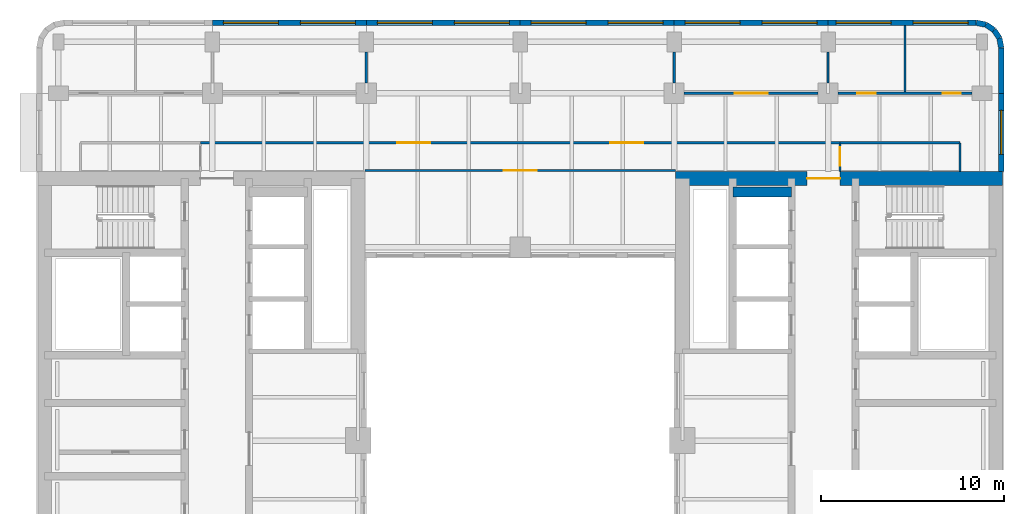
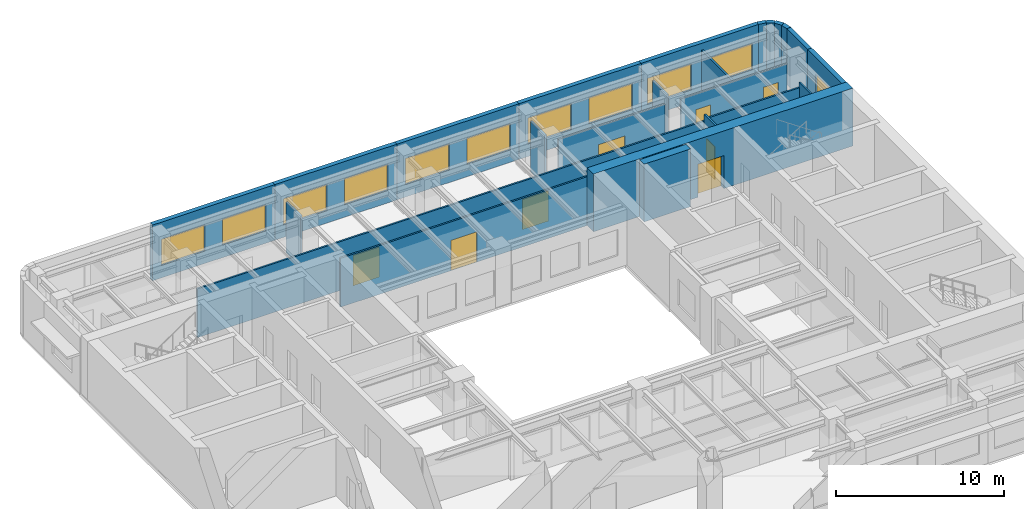
# One storey, part 7 of 11: 24 walls, 11 windows, 8 doors, 19 openings.
"""IFC4 building model written with IfcOpenShell, lengths in metres."""

from ifc_helpers import new_model, si_unit, direction, frame, frame_2d, origin, place, context, subcontext, project, spatial, rectangle, extrude, material, layer, layer_set, type_object, element, fill, save


model = new_model("IFC4")

# Units and contexts
model_context = context("Model", 3, precision=1e-05, world=origin(), true_north=direction((0.0, 1.0)))
body_context = subcontext(model_context, "Body", "Model", "MODEL_VIEW")
ifc_project = project(units=[si_unit("LENGTHUNIT", "METRE"), si_unit("AREAUNIT", "SQUARE_METRE"), si_unit("VOLUMEUNIT", "CUBIC_METRE"), si_unit("PLANEANGLEUNIT", "RADIAN"), si_unit("MASSUNIT", "GRAM", prefix="KILO")], contexts=[model_context])

# Site, building, storey
site_placement = place(None, origin())
site = spatial("IfcSite", under=ifc_project, at=site_placement, CompositionType="ELEMENT")
building_placement = place(site_placement, origin())
building = spatial("IfcBuilding", under=site, at=building_placement, Name="Claustro Exchange Tower", CompositionType="ELEMENT")
storey_placement = place(building_placement, frame((0.0, 0.0, 181.800048828125)))
storey = spatial("IfcBuildingStorey", under=building, at=storey_placement, Name="L41", CompositionType="ELEMENT", Elevation=181.800048828125)

# Wall
ifc_material_1 = material(Name="Laminated glass in aluminium frame", Category="aluminium")
ifc_layer_1 = layer(ifc_material_1, 0.1201171875)
ifc_layer_set_1 = layer_set([ifc_layer_1], Name="Laminated glass in aluminium frame")
wall_type_1 = type_object("IfcWallType", Name="P2 120 glazed partition", PredefinedType="PARTITIONING", material=ifc_layer_set_1)
wall_1_placement = place(storey_placement, frame((16.800048828125, 42.549072265625, 0.0), z_axis=(0.0, 0.0, 1.0), x_axis=(0.0, 1.0, 0.0)))
element("IfcWall", 1, at=wall_1_placement, inside=storey, type_object=wall_type_1, Name="Partition P2 L41", PredefinedType="PARTITIONING", context=body_context, shape_type="SweptSolid", body=[
    extrude(rectangle(XDim=1.701904296875, YDim=0.1201171875, at=frame_2d((0.85107421875, 0.0))), origin(), (0.0, 0.0, 1.0), 3.68994140625),
])

# Wall, opening, door
wall_2_placement = place(storey_placement, frame((34.14892578125, 42.0, 0.0), z_axis=(0.0, 0.0, 1.0), x_axis=(1.0, 0.0, 0.0)))
wall_2 = element("IfcWall", 2, at=wall_2_placement, inside=storey, type_object=wall_type_1, Name="Partition P2 L41", PredefinedType="PARTITIONING", context=body_context, shape_type="SweptSolid", body=[
    extrude(rectangle(XDim=7.302001953125, YDim=0.1201171875, at=frame_2d((3.65087890625, 0.0))), origin(), (0.0, 0.0, 1.0), 3.550048828125),
])
opening_1_placement = place(wall_2_placement, frame((2.7509765625, 0.0, 0.0)))
opening_1 = element("IfcOpeningElement", 3, at=opening_1_placement, cuts=wall_2, Name="Opening D2", PredefinedType="OPENING", context=body_context, shape_type="SweptSolid", body=[
    extrude(rectangle(XDim=1.800048828125, YDim=2.199951171875, at=frame_2d((0.89990234375, 1.10009765625))), frame((0.0, 0.070068359375, 0.0), z_axis=(0.0, -1.0, 0.0), x_axis=(1.0, 0.0, 0.0)), (0.0, 0.0, 1.0), 0.14013671875),
])
ifc_material_2 = material(Name="Timber door, oak veneer", Category="wood")
door_type_1 = type_object("IfcDoorType", Name="D2 1800 x 2200 double door", OperationType="DOUBLE_DOOR_SINGLE_SWING", PredefinedType="DOOR", material=ifc_material_2)
door_1_placement = place(opening_1_placement, origin())
door_1 = element("IfcDoor", 4, at=door_1_placement, inside=storey, type_object=door_type_1, Name="Double door D2 L41", OperationType="DOUBLE_DOOR_SINGLE_SWING", OverallHeight=2.199951171875, OverallWidth=1.800048828125, PredefinedType="DOOR", context=body_context, shape_type="SweptSolid", body=[
    extrude(rectangle(XDim=1.800048828125, YDim=2.199951171875, at=frame_2d((0.89990234375, 1.10009765625))), frame((0.0, 0.02490234375, 0.0), z_axis=(0.0, -1.0, 0.0), x_axis=(1.0, 0.0, 0.0)), (0.0, 0.0, 1.0), 0.050048828125),
])
fill(opening_1, door_1)

# Wall, openings, doors
wall_3_placement = place(storey_placement, frame((42.549072265625, 42.0, 0.0), z_axis=(0.0, 0.0, 1.0), x_axis=(1.0, 0.0, 0.0)))
wall_3 = element("IfcWall", 5, at=wall_3_placement, inside=storey, type_object=wall_type_1, Name="Partition P2 L41", PredefinedType="PARTITIONING", context=body_context, shape_type="SweptSolid", body=[
    extrude(rectangle(XDim=7.302001953125, YDim=0.1201171875, at=frame_2d((3.65087890625, 0.0))), origin(), (0.0, 0.0, 1.0), 3.550048828125),
])
opening_2_placement = place(wall_3_placement, frame((1.051025390625, 0.0, 0.0)))
opening_2 = element("IfcOpeningElement", 6, at=opening_2_placement, cuts=wall_3, Name="Opening D7", PredefinedType="OPENING", context=body_context, shape_type="SweptSolid", body=[
    extrude(rectangle(XDim=1.0, YDim=2.39990234375, at=frame_2d((0.5, 1.199951171875))), frame((0.0, 0.070068359375, 0.0), z_axis=(0.0, -1.0, 0.0), x_axis=(1.0, 0.0, 0.0)), (0.0, 0.0, 1.0), 0.14013671875),
])
opening_3_placement = place(wall_3_placement, frame((5.700927734375, 0.0, 0.0)))
opening_3 = element("IfcOpeningElement", 7, at=opening_3_placement, cuts=wall_3, Name="Opening D7", PredefinedType="OPENING", context=body_context, shape_type="SweptSolid", body=[
    extrude(rectangle(XDim=1.0, YDim=2.39990234375, at=frame_2d((0.5, 1.199951171875))), frame((0.0, 0.070068359375, 0.0), z_axis=(0.0, -1.0, 0.0), x_axis=(1.0, 0.0, 0.0)), (0.0, 0.0, 1.0), 0.14013671875),
])
ifc_material_3 = material(Name="Glass door in aluminium frame", Category="aluminium")
door_type_2 = type_object("IfcDoorType", Name="D7 1000 x 2400 glazed door", OperationType="SINGLE_SWING_LEFT", PredefinedType="DOOR", material=ifc_material_3)
door_2_placement = place(opening_2_placement, origin())
door_2 = element("IfcDoor", 8, at=door_2_placement, inside=storey, type_object=door_type_2, Name="Door D7 L41", OperationType="SINGLE_SWING_LEFT", OverallHeight=2.39990234375, OverallWidth=1.0, PredefinedType="DOOR", context=body_context, shape_type="SweptSolid", body=[
    extrude(rectangle(XDim=1.0, YDim=2.39990234375, at=frame_2d((0.5, 1.199951171875))), frame((0.0, 0.02490234375, 0.0), z_axis=(0.0, -1.0, 0.0), x_axis=(1.0, 0.0, 0.0)), (0.0, 0.0, 1.0), 0.050048828125),
])
fill(opening_2, door_2)
door_3_placement = place(opening_3_placement, origin())
door_3 = element("IfcDoor", 9, at=door_3_placement, inside=storey, type_object=door_type_2, Name="Door D7 L41", OperationType="SINGLE_SWING_LEFT", OverallHeight=2.39990234375, OverallWidth=1.0, PredefinedType="DOOR", context=body_context, shape_type="SweptSolid", body=[
    extrude(rectangle(XDim=1.0, YDim=2.39990234375, at=frame_2d((0.5, 1.199951171875))), frame((0.0, 0.02490234375, 0.0), z_axis=(0.0, -1.0, 0.0), x_axis=(1.0, 0.0, 0.0)), (0.0, 0.0, 1.0), 0.050048828125),
])
fill(opening_3, door_3)

# Walls
for number, where, z_axis, x_axis, name in (
    (10, (33.60009765625, 42.549072265625, 0.0), (0.0, 0.0, 1.0), (0.0, 1.0, 0.0), "Partition P2 L41"),
    (11, (42.0, 42.549072265625, 0.0), (0.0, 0.0, 1.0), (0.0, 1.0, 0.0), "Partition P2 L41"),
):
    element("IfcWall", number, at=place(storey_placement, frame(where, z_axis=z_axis, x_axis=x_axis)), inside=storey, type_object=wall_type_1, Name=name, PredefinedType="PARTITIONING", context=body_context, shape_type="SweptSolid", body=[
        extrude(rectangle(XDim=1.701904296875, YDim=0.1201171875, at=frame_2d((0.85107421875, 0.0))), origin(), (0.0, 0.0, 1.0), 3.68994140625),
    ])
wall_4_placement = place(storey_placement, frame((46.199951171875, 42.05810546875, 0.0), z_axis=(0.0, 0.0, 1.0), x_axis=(0.0, 1.0, 0.0)))
element("IfcWall", 12, at=wall_4_placement, inside=storey, type_object=wall_type_1, Name="Partition P2 L41", PredefinedType="PARTITIONING", context=body_context, shape_type="SweptSolid", body=[
    extrude(rectangle(XDim=3.643798828125, YDim=0.1201171875, at=frame_2d((1.82177734375, 0.0))), origin(), (0.0, 0.0, 1.0), 3.550048828125),
])

# Wall, openings, doors
wall_5_placement = place(storey_placement, frame((7.748046875, 39.300048828125, 0.0), z_axis=(0.0, 0.0, 1.0), x_axis=(1.0, 0.0, 0.0)))
wall_5 = element("IfcWall", 13, at=wall_5_placement, inside=storey, type_object=wall_type_1, Name="Partition P2 L41", PredefinedType="PARTITIONING", context=body_context, shape_type="SweptSolid", body=[
    extrude(rectangle(XDim=34.904052734375, YDim=0.1201171875, at=frame_2d((17.4521484375, 0.0))), origin(), (0.0, 0.0, 1.0), 3.550048828125),
])
opening_4_placement = place(wall_5_placement, frame((10.7353515625, 0.0, 0.0)))
opening_4 = element("IfcOpeningElement", 14, at=opening_4_placement, cuts=wall_5, Name="Opening D2", PredefinedType="OPENING", context=body_context, shape_type="SweptSolid", body=[
    extrude(rectangle(XDim=1.800048828125, YDim=2.199951171875, at=frame_2d((0.89990234375, 1.10009765625))), frame((0.0, 0.070068359375, 0.0), z_axis=(0.0, -1.0, 0.0), x_axis=(1.0, 0.0, 0.0)), (0.0, 0.0, 1.0), 0.14013671875),
])
opening_5_placement = place(wall_5_placement, frame((22.36865234375, 0.0, 0.0)))
opening_5 = element("IfcOpeningElement", 15, at=opening_5_placement, cuts=wall_5, Name="Opening D2", PredefinedType="OPENING", context=body_context, shape_type="SweptSolid", body=[
    extrude(rectangle(XDim=1.800048828125, YDim=2.199951171875, at=frame_2d((0.89990234375, 1.10009765625))), frame((0.0, 0.070068359375, 0.0), z_axis=(0.0, -1.0, 0.0), x_axis=(1.0, 0.0, 0.0)), (0.0, 0.0, 1.0), 0.14013671875),
])
door_4_placement = place(opening_4_placement, origin())
door_4 = element("IfcDoor", 16, at=door_4_placement, inside=storey, type_object=door_type_1, Name="Double door D2 L41", OperationType="DOUBLE_DOOR_SINGLE_SWING", OverallHeight=2.199951171875, OverallWidth=1.800048828125, PredefinedType="DOOR", context=body_context, shape_type="SweptSolid", body=[
    extrude(rectangle(XDim=1.800048828125, YDim=2.199951171875, at=frame_2d((0.89990234375, 1.10009765625))), frame((0.0, 0.02490234375, 0.0), z_axis=(0.0, -1.0, 0.0), x_axis=(1.0, 0.0, 0.0)), (0.0, 0.0, 1.0), 0.050048828125),
])
fill(opening_4, door_4)
door_5_placement = place(opening_5_placement, origin())
door_5 = element("IfcDoor", 17, at=door_5_placement, inside=storey, type_object=door_type_1, Name="Double door D2 L41", OperationType="DOUBLE_DOOR_SINGLE_SWING", OverallHeight=2.199951171875, OverallWidth=1.800048828125, PredefinedType="DOOR", context=body_context, shape_type="SweptSolid", body=[
    extrude(rectangle(XDim=1.800048828125, YDim=2.199951171875, at=frame_2d((0.89990234375, 1.10009765625))), frame((0.0, 0.02490234375, 0.0), z_axis=(0.0, -1.0, 0.0), x_axis=(1.0, 0.0, 0.0)), (0.0, 0.0, 1.0), 0.050048828125),
])
fill(opening_5, door_5)

# Wall, opening, door
wall_6_placement = place(storey_placement, frame((42.64990234375, 37.72412109375, 0.0), z_axis=(0.0, 0.0, 1.0), x_axis=(0.0, 1.0, 0.0)))
wall_6 = element("IfcWall", 18, at=wall_6_placement, inside=storey, type_object=wall_type_1, Name="Partition P2 L41", PredefinedType="PARTITIONING", context=body_context, shape_type="SweptSolid", body=[
    extrude(rectangle(XDim=1.517822265625, YDim=0.1201171875, at=frame_2d((0.7587890625, 0.0))), origin(), (0.0, 0.0, 1.0), 4.050048828125),
])
opening_6_placement = place(wall_6_placement, frame((0.325927734375, 0.0, 0.0)))
opening_6 = element("IfcOpeningElement", 19, at=opening_6_placement, cuts=wall_6, Name="Opening D7", PredefinedType="OPENING", context=body_context, shape_type="SweptSolid", body=[
    extrude(rectangle(XDim=1.0, YDim=2.39990234375, at=frame_2d((0.5, 1.199951171875))), frame((0.0, 0.070068359375, 0.0), z_axis=(0.0, -1.0, 0.0), x_axis=(1.0, 0.0, 0.0)), (0.0, 0.0, 1.0), 0.14013671875),
])
door_6_placement = place(opening_6_placement, frame((1.0, 0.0, 0.0), z_axis=(0.0, 0.0, 1.0), x_axis=(-1.0, 0.0, 0.0)))
door_6 = element("IfcDoor", 20, at=door_6_placement, inside=storey, type_object=door_type_2, Name="Door D7 L41", OperationType="SINGLE_SWING_RIGHT", OverallHeight=2.39990234375, OverallWidth=1.0, PredefinedType="DOOR", context=body_context, shape_type="SweptSolid", body=[
    extrude(rectangle(XDim=1.0, YDim=2.39990234375, at=frame_2d((0.5, 1.199951171875))), frame((0.0, 0.02490234375, 0.0), z_axis=(0.0, -1.0, 0.0), x_axis=(1.0, 0.0, 0.0)), (0.0, 0.0, 1.0), 0.050048828125),
])
fill(opening_6, door_6)

# Walls
wall_7_placement = place(storey_placement, frame((42.64794921875, 39.300048828125, 0.0), z_axis=(0.0, 0.0, 1.0), x_axis=(1.0, 0.0, 0.0)))
element("IfcWall", 21, at=wall_7_placement, inside=storey, type_object=wall_type_1, Name="Partition P2 L41", PredefinedType="PARTITIONING", context=body_context, shape_type="SweptSolid", body=[
    extrude(rectangle(XDim=6.552001953125, YDim=0.1201171875, at=frame_2d((3.27587890625, 0.0))), origin(), (0.0, 0.0, 1.0), 3.68994140625),
])
wall_8_placement = place(storey_placement, frame((49.199951171875, 37.72412109375, 0.0), z_axis=(0.0, 0.0, 1.0), x_axis=(0.0, 1.0, 0.0)))
element("IfcWall", 22, at=wall_8_placement, inside=storey, type_object=wall_type_1, Name="Partition P2 L41", PredefinedType="PARTITIONING", context=body_context, shape_type="SweptSolid", body=[
    extrude(rectangle(XDim=1.575927734375, YDim=0.1201171875, at=frame_2d((0.7880859375, 0.0))), origin(), (0.0, 0.0, 1.0), 4.050048828125),
])

# Wall, opening, door
wall_9_placement = place(storey_placement, frame((16.72509765625, 37.784912109375, 0.0), z_axis=(0.0, 0.0, 1.0), x_axis=(1.0, 0.0, 0.0)))
wall_9 = element("IfcWall", 23, at=wall_9_placement, inside=storey, type_object=wall_type_1, Name="Partition P2 L41", PredefinedType="PARTITIONING", context=body_context, shape_type="SweptSolid", body=[
    extrude(rectangle(XDim=16.949951171875, YDim=0.1201171875, at=frame_2d((8.47509765625, 0.0))), origin(), (0.0, 0.0, 1.0), 3.550048828125),
])
opening_7_placement = place(wall_9_placement, frame((7.574951171875, 0.0, 0.0)))
opening_7 = element("IfcOpeningElement", 24, at=opening_7_placement, cuts=wall_9, Name="Opening D2", PredefinedType="OPENING", context=body_context, shape_type="SweptSolid", body=[
    extrude(rectangle(XDim=1.800048828125, YDim=2.199951171875, at=frame_2d((0.89990234375, 1.10009765625))), frame((0.0, 0.070068359375, 0.0), z_axis=(0.0, -1.0, 0.0), x_axis=(1.0, 0.0, 0.0)), (0.0, 0.0, 1.0), 0.14013671875),
])
door_7_placement = place(opening_7_placement, frame((1.800048828125, 0.0, 0.0), z_axis=(0.0, 0.0, 1.0), x_axis=(-1.0, 0.0, 0.0)))
door_7 = element("IfcDoor", 25, at=door_7_placement, inside=storey, type_object=door_type_1, Name="Double door D2 L41", OperationType="DOUBLE_DOOR_SINGLE_SWING", OverallHeight=2.199951171875, OverallWidth=1.800048828125, PredefinedType="DOOR", context=body_context, shape_type="SweptSolid", body=[
    extrude(rectangle(XDim=1.800048828125, YDim=2.199951171875, at=frame_2d((0.89990234375, 1.10009765625))), frame((0.0, 0.02490234375, 0.0), z_axis=(0.0, -1.0, 0.0), x_axis=(1.0, 0.0, 0.0)), (0.0, 0.0, 1.0), 0.050048828125),
])
fill(opening_7, door_7)

# Wall, openings, windows
ifc_material_4 = material(Name="Concrete HA-40 (C40/50), precast, white cement, acid-etched", Category="concrete")
ifc_layer_2 = layer(ifc_material_4, 0.300048828125)
ifc_layer_set_2 = layer_set([ifc_layer_2], Name="Concrete HA-40 (C40/50), precast, white cement, acid-etched")
wall_type_2 = type_object("IfcWallType", Name="PC1 300 precast concrete pier panel", PredefinedType="SOLIDWALL", material=ifc_layer_set_2)
wall_10_placement = place(storey_placement, frame((8.39990234375, 45.85009765625, 0.0), z_axis=(0.0, 0.0, 1.0), x_axis=(1.0, 0.0, 0.0)))
wall_10 = element("IfcWall", 26, at=wall_10_placement, inside=storey, type_object=wall_type_2, Name="Precast pier panel PC1 L41", PredefinedType="SOLIDWALL", context=body_context, shape_type="SweptSolid", body=[
    extrude(rectangle(XDim=8.400146484375, YDim=0.300048828125, at=frame_2d((4.2001953125, 0.0))), origin(), (0.0, 0.0, 1.0), 4.050048828125),
])
opening_8_placement = place(wall_10_placement, frame((0.60009765625, 0.0, 0.89990234375)))
opening_8 = element("IfcOpeningElement", 27, at=opening_8_placement, cuts=wall_10, Name="Opening W1", PredefinedType="OPENING", context=body_context, shape_type="SweptSolid", body=[
    extrude(rectangle(XDim=3.0, YDim=1.89990234375, at=frame_2d((1.5, 0.949951171875))), frame((0.0, 0.159912109375, 0.0), z_axis=(0.0, -1.0, 0.0), x_axis=(1.0, 0.0, 0.0)), (0.0, 0.0, 1.0), 0.320068359375),
])
opening_9_placement = place(wall_10_placement, frame((4.800048828125, 0.0, 0.89990234375)))
opening_9 = element("IfcOpeningElement", 28, at=opening_9_placement, cuts=wall_10, Name="Opening W1", PredefinedType="OPENING", context=body_context, shape_type="SweptSolid", body=[
    extrude(rectangle(XDim=3.0, YDim=1.89990234375, at=frame_2d((1.5, 0.949951171875))), frame((0.0, 0.159912109375, 0.0), z_axis=(0.0, -1.0, 0.0), x_axis=(1.0, 0.0, 0.0)), (0.0, 0.0, 1.0), 0.320068359375),
])
ifc_material_5 = material(Name="Aluminium frame, clear double glazing", Category="aluminium")
window_type_1 = type_object("IfcWindowType", Name="W1 3000 x 1900 window", PartitioningType="SINGLE_PANEL", PredefinedType="WINDOW", material=ifc_material_5)
window_1_placement = place(opening_8_placement, origin())
window_1 = element("IfcWindow", 29, at=window_1_placement, inside=storey, type_object=window_type_1, Name="Window W1 L41", OverallHeight=1.89990234375, OverallWidth=3.0, PartitioningType="SINGLE_PANEL", PredefinedType="WINDOW", context=body_context, shape_type="SweptSolid", body=[
    extrude(rectangle(XDim=3.0, YDim=1.89990234375, at=frame_2d((1.5, 0.949951171875))), frame((0.0, 0.030029296875, 0.0), z_axis=(0.0, -1.0, 0.0), x_axis=(1.0, 0.0, 0.0)), (0.0, 0.0, 1.0), 0.06005859375),
])
fill(opening_8, window_1)
window_2_placement = place(opening_9_placement, origin())
window_2 = element("IfcWindow", 30, at=window_2_placement, inside=storey, type_object=window_type_1, Name="Window W1 L41", OverallHeight=1.89990234375, OverallWidth=3.0, PartitioningType="SINGLE_PANEL", PredefinedType="WINDOW", context=body_context, shape_type="SweptSolid", body=[
    extrude(rectangle(XDim=3.0, YDim=1.89990234375, at=frame_2d((1.5, 0.949951171875))), frame((0.0, 0.030029296875, 0.0), z_axis=(0.0, -1.0, 0.0), x_axis=(1.0, 0.0, 0.0)), (0.0, 0.0, 1.0), 0.06005859375),
])
fill(opening_9, window_2)

wall_11_placement = place(storey_placement, frame((16.800048828125, 45.85009765625, 0.0), z_axis=(0.0, 0.0, 1.0), x_axis=(1.0, 0.0, 0.0)))
wall_11 = element("IfcWall", 31, at=wall_11_placement, inside=storey, type_object=wall_type_2, Name="Precast pier panel PC1 L41", PredefinedType="SOLIDWALL", context=body_context, shape_type="SweptSolid", body=[
    extrude(rectangle(XDim=8.39990234375, YDim=0.300048828125, at=frame_2d((4.199951171875, 0.0))), origin(), (0.0, 0.0, 1.0), 4.050048828125),
])
opening_10_placement = place(wall_11_placement, frame((0.60009765625, 0.0, 0.89990234375)))
opening_10 = element("IfcOpeningElement", 32, at=opening_10_placement, cuts=wall_11, Name="Opening W1", PredefinedType="OPENING", context=body_context, shape_type="SweptSolid", body=[
    extrude(rectangle(XDim=3.0, YDim=1.89990234375, at=frame_2d((1.5, 0.949951171875))), frame((0.0, 0.159912109375, 0.0), z_axis=(0.0, -1.0, 0.0), x_axis=(1.0, 0.0, 0.0)), (0.0, 0.0, 1.0), 0.320068359375),
])
opening_11_placement = place(wall_11_placement, frame((4.800048828125, 0.0, 0.89990234375)))
opening_11 = element("IfcOpeningElement", 33, at=opening_11_placement, cuts=wall_11, Name="Opening W1", PredefinedType="OPENING", context=body_context, shape_type="SweptSolid", body=[
    extrude(rectangle(XDim=3.0, YDim=1.89990234375, at=frame_2d((1.5, 0.949951171875))), frame((0.0, 0.159912109375, 0.0), z_axis=(0.0, -1.0, 0.0), x_axis=(1.0, 0.0, 0.0)), (0.0, 0.0, 1.0), 0.320068359375),
])
window_3_placement = place(opening_10_placement, origin())
window_3 = element("IfcWindow", 34, at=window_3_placement, inside=storey, type_object=window_type_1, Name="Window W1 L41", OverallHeight=1.89990234375, OverallWidth=3.0, PartitioningType="SINGLE_PANEL", PredefinedType="WINDOW", context=body_context, shape_type="SweptSolid", body=[
    extrude(rectangle(XDim=3.0, YDim=1.89990234375, at=frame_2d((1.5, 0.949951171875))), frame((0.0, 0.030029296875, 0.0), z_axis=(0.0, -1.0, 0.0), x_axis=(1.0, 0.0, 0.0)), (0.0, 0.0, 1.0), 0.06005859375),
])
fill(opening_10, window_3)
window_4_placement = place(opening_11_placement, origin())
window_4 = element("IfcWindow", 35, at=window_4_placement, inside=storey, type_object=window_type_1, Name="Window W1 L41", OverallHeight=1.89990234375, OverallWidth=3.0, PartitioningType="SINGLE_PANEL", PredefinedType="WINDOW", context=body_context, shape_type="SweptSolid", body=[
    extrude(rectangle(XDim=3.0, YDim=1.89990234375, at=frame_2d((1.5, 0.949951171875))), frame((0.0, 0.030029296875, 0.0), z_axis=(0.0, -1.0, 0.0), x_axis=(1.0, 0.0, 0.0)), (0.0, 0.0, 1.0), 0.06005859375),
])
fill(opening_11, window_4)

wall_12_placement = place(storey_placement, frame((25.199951171875, 45.85009765625, 0.0), z_axis=(0.0, 0.0, 1.0), x_axis=(1.0, 0.0, 0.0)))
wall_12 = element("IfcWall", 36, at=wall_12_placement, inside=storey, type_object=wall_type_2, Name="Precast pier panel PC1 L41", PredefinedType="SOLIDWALL", context=body_context, shape_type="SweptSolid", body=[
    extrude(rectangle(XDim=8.400146484375, YDim=0.300048828125, at=frame_2d((4.2001953125, 0.0))), origin(), (0.0, 0.0, 1.0), 4.050048828125),
])
opening_12_placement = place(wall_12_placement, frame((0.60009765625, 0.0, 0.89990234375)))
opening_12 = element("IfcOpeningElement", 37, at=opening_12_placement, cuts=wall_12, Name="Opening W1", PredefinedType="OPENING", context=body_context, shape_type="SweptSolid", body=[
    extrude(rectangle(XDim=3.0, YDim=1.89990234375, at=frame_2d((1.5, 0.949951171875))), frame((0.0, 0.159912109375, 0.0), z_axis=(0.0, -1.0, 0.0), x_axis=(1.0, 0.0, 0.0)), (0.0, 0.0, 1.0), 0.320068359375),
])
opening_13_placement = place(wall_12_placement, frame((4.800048828125, 0.0, 0.89990234375)))
opening_13 = element("IfcOpeningElement", 38, at=opening_13_placement, cuts=wall_12, Name="Opening W1", PredefinedType="OPENING", context=body_context, shape_type="SweptSolid", body=[
    extrude(rectangle(XDim=3.0, YDim=1.89990234375, at=frame_2d((1.5, 0.949951171875))), frame((0.0, 0.159912109375, 0.0), z_axis=(0.0, -1.0, 0.0), x_axis=(1.0, 0.0, 0.0)), (0.0, 0.0, 1.0), 0.320068359375),
])
window_5_placement = place(opening_12_placement, origin())
window_5 = element("IfcWindow", 39, at=window_5_placement, inside=storey, type_object=window_type_1, Name="Window W1 L41", OverallHeight=1.89990234375, OverallWidth=3.0, PartitioningType="SINGLE_PANEL", PredefinedType="WINDOW", context=body_context, shape_type="SweptSolid", body=[
    extrude(rectangle(XDim=3.0, YDim=1.89990234375, at=frame_2d((1.5, 0.949951171875))), frame((0.0, 0.030029296875, 0.0), z_axis=(0.0, -1.0, 0.0), x_axis=(1.0, 0.0, 0.0)), (0.0, 0.0, 1.0), 0.06005859375),
])
fill(opening_12, window_5)
window_6_placement = place(opening_13_placement, origin())
window_6 = element("IfcWindow", 40, at=window_6_placement, inside=storey, type_object=window_type_1, Name="Window W1 L41", OverallHeight=1.89990234375, OverallWidth=3.0, PartitioningType="SINGLE_PANEL", PredefinedType="WINDOW", context=body_context, shape_type="SweptSolid", body=[
    extrude(rectangle(XDim=3.0, YDim=1.89990234375, at=frame_2d((1.5, 0.949951171875))), frame((0.0, 0.030029296875, 0.0), z_axis=(0.0, -1.0, 0.0), x_axis=(1.0, 0.0, 0.0)), (0.0, 0.0, 1.0), 0.06005859375),
])
fill(opening_13, window_6)

wall_13_placement = place(storey_placement, frame((33.60009765625, 45.85009765625, 0.0), z_axis=(0.0, 0.0, 1.0), x_axis=(1.0, 0.0, 0.0)))
wall_13 = element("IfcWall", 41, at=wall_13_placement, inside=storey, type_object=wall_type_2, Name="Precast pier panel PC1 L41", PredefinedType="SOLIDWALL", context=body_context, shape_type="SweptSolid", body=[
    extrude(rectangle(XDim=8.39990234375, YDim=0.300048828125, at=frame_2d((4.199951171875, 0.0))), origin(), (0.0, 0.0, 1.0), 4.050048828125),
])
opening_14_placement = place(wall_13_placement, frame((0.60009765625, 0.0, 0.89990234375)))
opening_14 = element("IfcOpeningElement", 42, at=opening_14_placement, cuts=wall_13, Name="Opening W1", PredefinedType="OPENING", context=body_context, shape_type="SweptSolid", body=[
    extrude(rectangle(XDim=3.0, YDim=1.89990234375, at=frame_2d((1.5, 0.949951171875))), frame((0.0, 0.159912109375, 0.0), z_axis=(0.0, -1.0, 0.0), x_axis=(1.0, 0.0, 0.0)), (0.0, 0.0, 1.0), 0.320068359375),
])
opening_15_placement = place(wall_13_placement, frame((4.800048828125, 0.0, 0.89990234375)))
opening_15 = element("IfcOpeningElement", 43, at=opening_15_placement, cuts=wall_13, Name="Opening W1", PredefinedType="OPENING", context=body_context, shape_type="SweptSolid", body=[
    extrude(rectangle(XDim=3.0, YDim=1.89990234375, at=frame_2d((1.5, 0.949951171875))), frame((0.0, 0.159912109375, 0.0), z_axis=(0.0, -1.0, 0.0), x_axis=(1.0, 0.0, 0.0)), (0.0, 0.0, 1.0), 0.320068359375),
])
window_7_placement = place(opening_14_placement, origin())
window_7 = element("IfcWindow", 44, at=window_7_placement, inside=storey, type_object=window_type_1, Name="Window W1 L41", OverallHeight=1.89990234375, OverallWidth=3.0, PartitioningType="SINGLE_PANEL", PredefinedType="WINDOW", context=body_context, shape_type="SweptSolid", body=[
    extrude(rectangle(XDim=3.0, YDim=1.89990234375, at=frame_2d((1.5, 0.949951171875))), frame((0.0, 0.030029296875, 0.0), z_axis=(0.0, -1.0, 0.0), x_axis=(1.0, 0.0, 0.0)), (0.0, 0.0, 1.0), 0.06005859375),
])
fill(opening_14, window_7)
window_8_placement = place(opening_15_placement, origin())
window_8 = element("IfcWindow", 45, at=window_8_placement, inside=storey, type_object=window_type_1, Name="Window W1 L41", OverallHeight=1.89990234375, OverallWidth=3.0, PartitioningType="SINGLE_PANEL", PredefinedType="WINDOW", context=body_context, shape_type="SweptSolid", body=[
    extrude(rectangle(XDim=3.0, YDim=1.89990234375, at=frame_2d((1.5, 0.949951171875))), frame((0.0, 0.030029296875, 0.0), z_axis=(0.0, -1.0, 0.0), x_axis=(1.0, 0.0, 0.0)), (0.0, 0.0, 1.0), 0.06005859375),
])
fill(opening_15, window_8)

wall_14_placement = place(storey_placement, frame((42.0, 45.85009765625, 0.0), z_axis=(0.0, 0.0, 1.0), x_axis=(1.0, 0.0, 0.0)))
wall_14 = element("IfcWall", 46, at=wall_14_placement, inside=storey, type_object=wall_type_2, Name="Precast pier panel PC1 L41", PredefinedType="SOLIDWALL", context=body_context, shape_type="SweptSolid", body=[
    extrude(rectangle(XDim=8.085205078125, YDim=0.300048828125, at=frame_2d((4.04248046875, 0.0))), origin(), (0.0, 0.0, 1.0), 4.050048828125),
])
opening_16_placement = place(wall_14_placement, frame((0.442626953125, 0.0, 0.89990234375)))
opening_16 = element("IfcOpeningElement", 47, at=opening_16_placement, cuts=wall_14, Name="Opening W1", PredefinedType="OPENING", context=body_context, shape_type="SweptSolid", body=[
    extrude(rectangle(XDim=3.0, YDim=1.89990234375, at=frame_2d((1.5, 0.949951171875))), frame((0.0, 0.159912109375, 0.0), z_axis=(0.0, -1.0, 0.0), x_axis=(1.0, 0.0, 0.0)), (0.0, 0.0, 1.0), 0.320068359375),
])
opening_17_placement = place(wall_14_placement, frame((4.642578125, 0.0, 0.89990234375)))
opening_17 = element("IfcOpeningElement", 48, at=opening_17_placement, cuts=wall_14, Name="Opening W1", PredefinedType="OPENING", context=body_context, shape_type="SweptSolid", body=[
    extrude(rectangle(XDim=3.0, YDim=1.89990234375, at=frame_2d((1.5, 0.949951171875))), frame((0.0, 0.159912109375, 0.0), z_axis=(0.0, -1.0, 0.0), x_axis=(1.0, 0.0, 0.0)), (0.0, 0.0, 1.0), 0.320068359375),
])
window_9_placement = place(opening_16_placement, origin())
window_9 = element("IfcWindow", 49, at=window_9_placement, inside=storey, type_object=window_type_1, Name="Window W1 L41", OverallHeight=1.89990234375, OverallWidth=3.0, PartitioningType="SINGLE_PANEL", PredefinedType="WINDOW", context=body_context, shape_type="SweptSolid", body=[
    extrude(rectangle(XDim=3.0, YDim=1.89990234375, at=frame_2d((1.5, 0.949951171875))), frame((0.0, 0.030029296875, 0.0), z_axis=(0.0, -1.0, 0.0), x_axis=(1.0, 0.0, 0.0)), (0.0, 0.0, 1.0), 0.06005859375),
])
fill(opening_16, window_9)
window_10_placement = place(opening_17_placement, origin())
window_10 = element("IfcWindow", 50, at=window_10_placement, inside=storey, type_object=window_type_1, Name="Window W1 L41", OverallHeight=1.89990234375, OverallWidth=3.0, PartitioningType="SINGLE_PANEL", PredefinedType="WINDOW", context=body_context, shape_type="SweptSolid", body=[
    extrude(rectangle(XDim=3.0, YDim=1.89990234375, at=frame_2d((1.5, 0.949951171875))), frame((0.0, 0.030029296875, 0.0), z_axis=(0.0, -1.0, 0.0), x_axis=(1.0, 0.0, 0.0)), (0.0, 0.0, 1.0), 0.06005859375),
])
fill(opening_17, window_10)

# Walls
wall_15_placement = place(storey_placement, frame((50.085205078125, 45.85009765625, 0.0), z_axis=(0.0, 0.0, 1.0), x_axis=(0.980702050465, -0.1955082817, 0.0)))
element("IfcWall", 51, at=wall_15_placement, inside=storey, type_object=wall_type_2, Name="Precast pier panel PC1 L41", PredefinedType="SOLIDWALL", context=body_context, shape_type="SweptSolid", body=[
    extrude(rectangle(XDim=0.540771484375, YDim=0.300048828125, at=frame_2d((0.2705078125, 0.0))), origin(), (0.0, 0.0, 1.0), 4.050048828125),
])
wall_16_placement = place(storey_placement, frame((50.615478515625, 45.744384765625, 0.0), z_axis=(0.0, 0.0, 1.0), x_axis=(0.831692711774, -0.555236195849, 0.0)))
element("IfcWall", 52, at=wall_16_placement, inside=storey, type_object=wall_type_2, Name="Precast pier panel PC1 L41", PredefinedType="SOLIDWALL", context=body_context, shape_type="SweptSolid", body=[
    extrude(rectangle(XDim=0.525390625, YDim=0.300048828125, at=frame_2d((0.2626953125, 0.0))), origin(), (0.0, 0.0, 1.0), 4.050048828125),
])
wall_17_placement = place(storey_placement, frame((51.052490234375, 45.45263671875, 0.0), z_axis=(0.0, 0.0, 1.0), x_axis=(0.55534295404, -0.831621430339, 0.0)))
element("IfcWall", 53, at=wall_17_placement, inside=storey, type_object=wall_type_2, Name="Precast pier panel PC1 L41", PredefinedType="SOLIDWALL", context=body_context, shape_type="SweptSolid", body=[
    extrude(rectangle(XDim=0.52587890625, YDim=0.300048828125, at=frame_2d((0.262939453125, 0.0))), origin(), (0.0, 0.0, 1.0), 4.050048828125),
])
wall_18_placement = place(storey_placement, frame((51.344482421875, 45.015380859375, 0.0), z_axis=(0.0, 0.0, 1.0), x_axis=(0.195073962632, -0.980788534345, 0.0)))
element("IfcWall", 54, at=wall_18_placement, inside=storey, type_object=wall_type_2, Name="Precast pier panel PC1 L41", PredefinedType="SOLIDWALL", context=body_context, shape_type="SweptSolid", body=[
    extrude(rectangle(XDim=0.540771484375, YDim=0.300048828125, at=frame_2d((0.2705078125, 0.0))), origin(), (0.0, 0.0, 1.0), 4.050048828125),
])
wall_19_placement = place(storey_placement, frame((51.449951171875, 44.485107421875, 0.0), z_axis=(0.0, 0.0, 1.0), x_axis=(0.0, -1.0, 0.0)))
element("IfcWall", 55, at=wall_19_placement, inside=storey, type_object=wall_type_2, Name="Precast pier panel PC1 L41", PredefinedType="SOLIDWALL", context=body_context, shape_type="SweptSolid", body=[
    extrude(rectangle(XDim=2.485107421875, YDim=0.300048828125, at=frame_2d((1.24267578125, 0.0))), origin(), (0.0, 0.0, 1.0), 4.050048828125),
])

# Wall, opening, window
wall_20_placement = place(storey_placement, frame((51.449951171875, 42.0, 0.0), z_axis=(0.0, 0.0, 1.0), x_axis=(0.0, -1.0, 0.0)))
wall_20 = element("IfcWall", 56, at=wall_20_placement, inside=storey, type_object=wall_type_2, Name="Precast pier panel PC1 L41", PredefinedType="SOLIDWALL", context=body_context, shape_type="SweptSolid", body=[
    extrude(rectangle(XDim=4.27490234375, YDim=0.300048828125, at=frame_2d((2.137451171875, 0.0))), origin(), (0.0, 0.0, 1.0), 4.050048828125),
])
opening_18_placement = place(wall_20_placement, frame((0.9375, 0.0, 0.89990234375)))
opening_18 = element("IfcOpeningElement", 57, at=opening_18_placement, cuts=wall_20, Name="Opening W2", PredefinedType="OPENING", context=body_context, shape_type="SweptSolid", body=[
    extrude(rectangle(XDim=2.39990234375, YDim=1.89990234375, at=frame_2d((1.199951171875, 0.949951171875))), frame((0.0, 0.159912109375, 0.0), z_axis=(0.0, -1.0, 0.0), x_axis=(1.0, 0.0, 0.0)), (0.0, 0.0, 1.0), 0.320068359375),
])
ifc_material_6 = material(Name="Aluminium frame, clear double glazing", Category="aluminium")
window_type_2 = type_object("IfcWindowType", Name="W2 2400 x 1900 window", PartitioningType="SINGLE_PANEL", PredefinedType="WINDOW", material=ifc_material_6)
window_11_placement = place(opening_18_placement, origin())
window_11 = element("IfcWindow", 58, at=window_11_placement, inside=storey, type_object=window_type_2, Name="Window W2 L41", OverallHeight=1.89990234375, OverallWidth=2.39990234375, PartitioningType="SINGLE_PANEL", PredefinedType="WINDOW", context=body_context, shape_type="SweptSolid", body=[
    extrude(rectangle(XDim=2.39990234375, YDim=1.89990234375, at=frame_2d((1.199951171875, 0.949951171875))), frame((0.0, 0.030029296875, 0.0), z_axis=(0.0, -1.0, 0.0), x_axis=(1.0, 0.0, 0.0)), (0.0, 0.0, 1.0), 0.06005859375),
])
fill(opening_18, window_11)

# Wall, opening, door
ifc_material_7 = material(Name="Concrete HA-70 (C70/85)", Category="concrete")
ifc_layer_3 = layer(ifc_material_7, 0.75)
ifc_layer_set_3 = layer_set([ifc_layer_3], Name="Concrete HA-70 (C70/85)")
wall_type_3 = type_object("IfcWallType", Name="SW2 750 core shear wall", PredefinedType="SHEAR", material=ifc_layer_set_3)
wall_21_placement = place(storey_placement, frame((33.675048828125, 37.35009765625, 0.0), z_axis=(0.0, 0.0, 1.0), x_axis=(1.0, 0.0, 0.0)))
wall_21 = element("IfcWall", 59, at=wall_21_placement, inside=storey, type_object=wall_type_3, Name="Core wall SW2 E core N face L41", PredefinedType="SHEAR", context=body_context, shape_type="SweptSolid", body=[
    extrude(rectangle(XDim=17.849853515625, YDim=0.75, at=frame_2d((8.9248046875, 0.0))), origin(), (0.0, 0.0, 1.0), 4.199951171875),
])
opening_19_placement = place(wall_21_placement, frame((7.175048828125, 0.0, 0.0)))
opening_19 = element("IfcOpeningElement", 60, at=opening_19_placement, cuts=wall_21, Name="Opening D3", PredefinedType="OPENING", context=body_context, shape_type="SweptSolid", body=[
    extrude(rectangle(XDim=1.800048828125, YDim=2.39990234375, at=frame_2d((0.89990234375, 1.199951171875))), frame((0.0, 0.385009765625, 0.0), z_axis=(0.0, -1.0, 0.0), x_axis=(1.0, 0.0, 0.0)), (0.0, 0.0, 1.0), 0.77001953125),
])
ifc_material_8 = material(Name="Steel fire door, painted", Category="steel")
door_type_3 = type_object("IfcDoorType", Name="D3 1800 x 2400 fire-rated lobby double door", OperationType="DOUBLE_DOOR_SINGLE_SWING", PredefinedType="DOOR", material=ifc_material_8)
door_8_placement = place(opening_19_placement, frame((1.800048828125, 0.0, 0.0), z_axis=(0.0, 0.0, 1.0), x_axis=(-1.0, 0.0, 0.0)))
door_8 = element("IfcDoor", 61, at=door_8_placement, inside=storey, type_object=door_type_3, Name="Lift lobby door D3 L41", OperationType="DOUBLE_DOOR_SINGLE_SWING", OverallHeight=2.39990234375, OverallWidth=1.800048828125, PredefinedType="DOOR", context=body_context, shape_type="SweptSolid", body=[
    extrude(rectangle(XDim=1.800048828125, YDim=2.39990234375, at=frame_2d((0.89990234375, 1.199951171875))), frame((0.0, 0.02490234375, 0.0), z_axis=(0.0, -1.0, 0.0), x_axis=(1.0, 0.0, 0.0)), (0.0, 0.0, 1.0), 0.050048828125),
])
fill(opening_19, door_8)

# Wall
ifc_material_9 = material(Name="Concrete HA-50 (C50/60)", Category="concrete")
ifc_layer_4 = layer(ifc_material_9, 0.550048828125)
ifc_layer_set_4 = layer_set([ifc_layer_4], Name="Concrete HA-50 (C50/60)")
wall_type_4 = type_object("IfcWallType", Name="SW6 550 lift shaft end wall", PredefinedType="SHEAR", material=ifc_layer_set_4)
wall_22_placement = place(storey_placement, frame((40.0, 36.625, 0.0), z_axis=(0.0, 0.0, 1.0), x_axis=(-1.0, 0.0, 0.0)))
element("IfcWall", 62, at=wall_22_placement, inside=storey, type_object=wall_type_4, Name="Lift shaft wall E core L41", PredefinedType="SHEAR", context=body_context, shape_type="SweptSolid", body=[
    extrude(rectangle(XDim=3.199951171875, YDim=0.550048828125, at=frame_2d((1.60009765625, 0.0))), origin(), (0.0, 0.0, 1.0), 4.199951171875),
])

save(model, "model.ifc")
